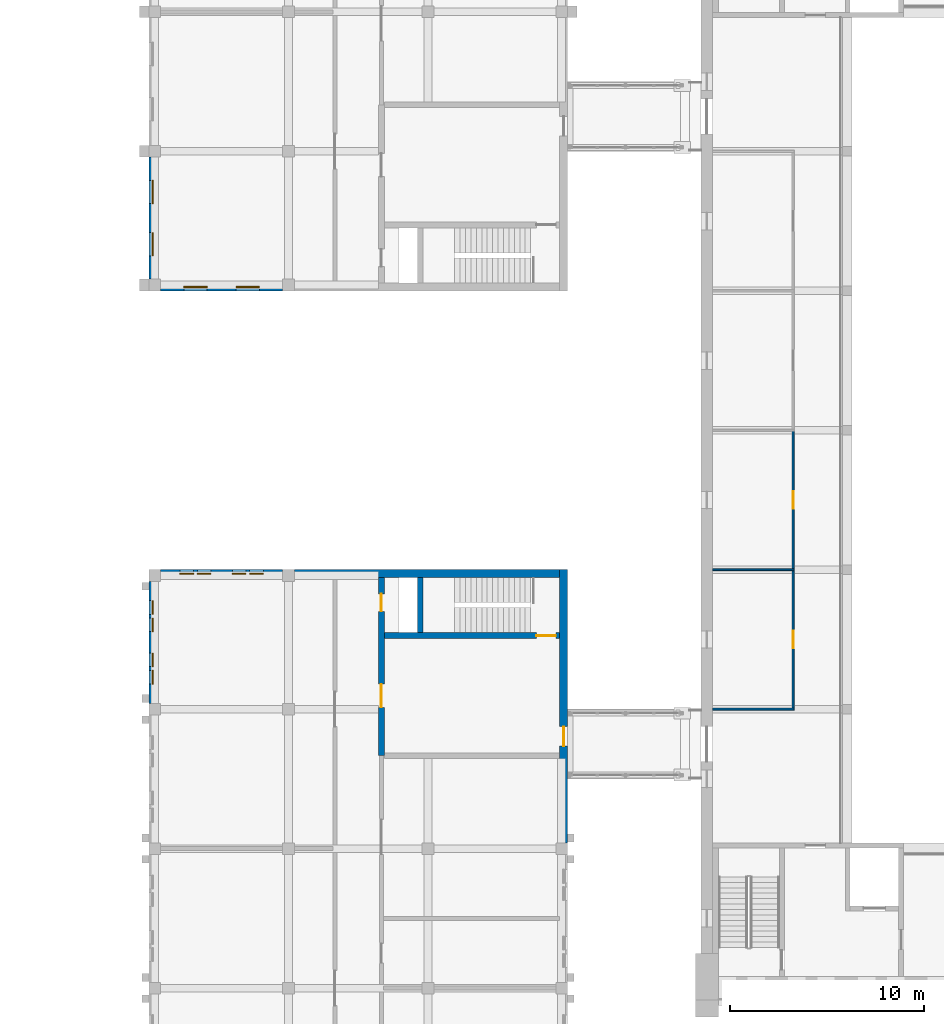
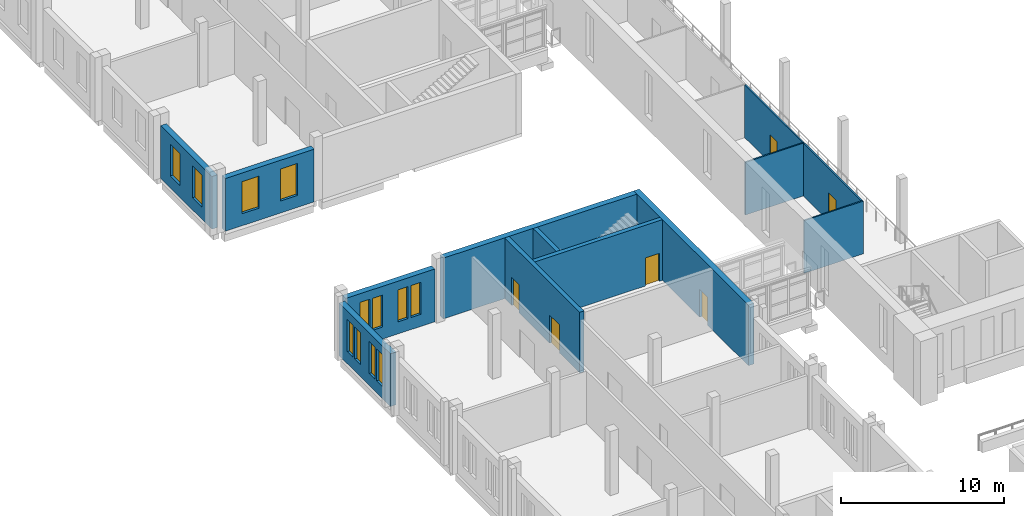
# One storey, part 82 of 131: 13 walls, 12 windows, 6 doors, 18 openings.
"""IFC4 building model written with IfcOpenShell, lengths in metres."""

from ifc_helpers import new_model, si_unit, direction, frame, frame_2d, origin, place, context, subcontext, project, spatial, rectangle, extrude, material, layer, layer_set, type_object, element, fill, save


model = new_model("IFC4")

# Units and contexts
model_context = context("Model", 3, precision=1e-05, world=origin(), true_north=direction((0.0, 1.0)))
body_context = subcontext(model_context, "Body", "Model", "MODEL_VIEW")
ifc_project = project(units=[si_unit("LENGTHUNIT", "METRE"), si_unit("AREAUNIT", "SQUARE_METRE"), si_unit("VOLUMEUNIT", "CUBIC_METRE"), si_unit("PLANEANGLEUNIT", "RADIAN"), si_unit("MASSUNIT", "GRAM", prefix="KILO")], contexts=[model_context])

# Site, building, storey
site_placement = place(None, origin())
site = spatial("IfcSite", under=ifc_project, at=site_placement, CompositionType="ELEMENT")
building_placement = place(site_placement, origin())
building = spatial("IfcBuilding", under=site, at=building_placement, Name="Alderwick Market Hall", CompositionType="ELEMENT")
storey_placement = place(building_placement, frame((0.0, 0.0, 4.800048828125)))
storey = spatial("IfcBuildingStorey", under=building, at=storey_placement, Name="L00", CompositionType="ELEMENT", Elevation=4.800048828125)

# Wall, openings, windows
ifc_material_1 = material(Name="Face brick", Category="masonry")
ifc_layer_1 = layer(ifc_material_1, 0.39990234375)
ifc_layer_set_1 = layer_set([ifc_layer_1], Name="Face brick")
wall_type_1 = type_object("IfcWallType", Name="B Brick Cavity Wall 400", PredefinedType="SOLIDWALL", material=ifc_layer_set_1)
wall_1_placement = place(storey_placement, frame((22.199951171875, 86.60009765625, 0.0), z_axis=(0.0, 0.0, 1.0), x_axis=(1.0, 0.0, 0.0)))
wall_1 = element("IfcWall", 1, at=wall_1_placement, inside=storey, type_object=wall_type_1, Name="B.N.wall.L00.000", PredefinedType="SOLIDWALL", context=body_context, shape_type="SweptSolid", body=[
    extrude(rectangle(XDim=6.300048828125, YDim=0.39990234375, at=frame_2d((3.14990234375, 0.0))), origin(), (0.0, 0.0, 1.0), 3.949951171875),
])
opening_1_placement = place(wall_1_placement, frame((1.199951171875, 0.0, 0.89990234375)))
opening_1 = element("IfcOpeningElement", 2, at=opening_1_placement, cuts=wall_1, Name="Opening B-W010", PredefinedType="OPENING", context=body_context, shape_type="SweptSolid", body=[
    extrude(rectangle(XDim=1.199951171875, YDim=2.39990234375, at=frame_2d((0.60009765625, 1.199951171875))), frame((0.0, 0.2099609375, 0.0), z_axis=(0.0, -1.0, 0.0), x_axis=(1.0, 0.0, 0.0)), (0.0, 0.0, 1.0), 0.419921875),
])
opening_2_placement = place(wall_1_placement, frame((3.89990234375, 0.0, 0.89990234375)))
opening_2 = element("IfcOpeningElement", 3, at=opening_2_placement, cuts=wall_1, Name="Opening B-W011", PredefinedType="OPENING", context=body_context, shape_type="SweptSolid", body=[
    extrude(rectangle(XDim=1.199951171875, YDim=2.39990234375, at=frame_2d((0.60009765625, 1.199951171875))), frame((0.0, 0.2099609375, 0.0), z_axis=(0.0, -1.0, 0.0), x_axis=(1.0, 0.0, 0.0)), (0.0, 0.0, 1.0), 0.419921875),
])
ifc_material_2 = material(Name="Aluminium frame", Category="aluminium")
window_type_1 = type_object("IfcWindowType", Name="B Piano Nobile Window 1200x2400", PartitioningType="SINGLE_PANEL", PredefinedType="WINDOW", material=ifc_material_2)
window_1_placement = place(opening_1_placement, origin())
window_1 = element("IfcWindow", 4, at=window_1_placement, inside=storey, type_object=window_type_1, Name="Window B-W010", OverallHeight=2.39990234375, OverallWidth=1.199951171875, PartitioningType="SINGLE_PANEL", PredefinedType="WINDOW", context=body_context, shape_type="SweptSolid", body=[
    extrude(rectangle(XDim=1.199951171875, YDim=2.39990234375, at=frame_2d((0.60009765625, 1.199951171875))), frame((0.0, 0.030029296875, 0.0), z_axis=(0.0, -1.0, 0.0), x_axis=(1.0, 0.0, 0.0)), (0.0, 0.0, 1.0), 0.06005859375),
])
fill(opening_1, window_1)
window_2_placement = place(opening_2_placement, origin())
window_2 = element("IfcWindow", 5, at=window_2_placement, inside=storey, type_object=window_type_1, Name="Window B-W011", OverallHeight=2.39990234375, OverallWidth=1.199951171875, PartitioningType="SINGLE_PANEL", PredefinedType="WINDOW", context=body_context, shape_type="SweptSolid", body=[
    extrude(rectangle(XDim=1.199951171875, YDim=2.39990234375, at=frame_2d((0.60009765625, 1.199951171875))), frame((0.0, 0.030029296875, 0.0), z_axis=(0.0, -1.0, 0.0), x_axis=(1.0, 0.0, 0.0)), (0.0, 0.0, 1.0), 0.06005859375),
])
fill(opening_2, window_2)

wall_2_placement = place(storey_placement, frame((21.800048828125, 87.0, 0.0), z_axis=(0.0, 0.0, 1.0), x_axis=(0.0, 1.0, 0.0)))
wall_2 = element("IfcWall", 6, at=wall_2_placement, inside=storey, type_object=wall_type_1, Name="B.N.wall.L00.016", PredefinedType="SOLIDWALL", context=body_context, shape_type="SweptSolid", body=[
    extrude(rectangle(XDim=6.300048828125, YDim=0.39990234375, at=frame_2d((3.14990234375, 0.0))), origin(), (0.0, 0.0, 1.0), 3.949951171875),
])
opening_3_placement = place(wall_2_placement, frame((1.199951171875, 0.0, 0.89990234375)))
opening_3 = element("IfcOpeningElement", 7, at=opening_3_placement, cuts=wall_2, Name="Opening B-W014", PredefinedType="OPENING", context=body_context, shape_type="SweptSolid", body=[
    extrude(rectangle(XDim=1.199951171875, YDim=2.39990234375, at=frame_2d((0.60009765625, 1.199951171875))), frame((0.0, 0.2099609375, 0.0), z_axis=(0.0, -1.0, 0.0), x_axis=(1.0, 0.0, 0.0)), (0.0, 0.0, 1.0), 0.419921875),
])
opening_4_placement = place(wall_2_placement, frame((3.89990234375, 0.0, 0.89990234375)))
opening_4 = element("IfcOpeningElement", 8, at=opening_4_placement, cuts=wall_2, Name="Opening B-W015", PredefinedType="OPENING", context=body_context, shape_type="SweptSolid", body=[
    extrude(rectangle(XDim=1.199951171875, YDim=2.39990234375, at=frame_2d((0.60009765625, 1.199951171875))), frame((0.0, 0.2099609375, 0.0), z_axis=(0.0, -1.0, 0.0), x_axis=(1.0, 0.0, 0.0)), (0.0, 0.0, 1.0), 0.419921875),
])
window_3_placement = place(opening_3_placement, origin())
window_3 = element("IfcWindow", 9, at=window_3_placement, inside=storey, type_object=window_type_1, Name="Window B-W014", OverallHeight=2.39990234375, OverallWidth=1.199951171875, PartitioningType="SINGLE_PANEL", PredefinedType="WINDOW", context=body_context, shape_type="SweptSolid", body=[
    extrude(rectangle(XDim=1.199951171875, YDim=2.39990234375, at=frame_2d((0.60009765625, 1.199951171875))), frame((0.0, 0.030029296875, 0.0), z_axis=(0.0, -1.0, 0.0), x_axis=(1.0, 0.0, 0.0)), (0.0, 0.0, 1.0), 0.06005859375),
])
fill(opening_3, window_3)
window_4_placement = place(opening_4_placement, origin())
window_4 = element("IfcWindow", 10, at=window_4_placement, inside=storey, type_object=window_type_1, Name="Window B-W015", OverallHeight=2.39990234375, OverallWidth=1.199951171875, PartitioningType="SINGLE_PANEL", PredefinedType="WINDOW", context=body_context, shape_type="SweptSolid", body=[
    extrude(rectangle(XDim=1.199951171875, YDim=2.39990234375, at=frame_2d((0.60009765625, 1.199951171875))), frame((0.0, 0.030029296875, 0.0), z_axis=(0.0, -1.0, 0.0), x_axis=(1.0, 0.0, 0.0)), (0.0, 0.0, 1.0), 0.06005859375),
])
fill(opening_4, window_4)

wall_3_placement = place(storey_placement, frame((22.199951171875, 71.800048828125, 0.0), z_axis=(0.0, 0.0, 1.0), x_axis=(1.0, 0.0, 0.0)))
wall_3 = element("IfcWall", 11, at=wall_3_placement, inside=storey, type_object=wall_type_1, Name="B.S.wall.L00.014", PredefinedType="SOLIDWALL", context=body_context, shape_type="SweptSolid", body=[
    extrude(rectangle(XDim=6.300048828125, YDim=0.39990234375, at=frame_2d((3.14990234375, 0.0))), origin(), (0.0, 0.0, 1.0), 3.949951171875),
])
opening_5_placement = place(wall_3_placement, frame((1.0, 0.0, 0.89990234375)))
opening_5 = element("IfcOpeningElement", 12, at=opening_5_placement, cuts=wall_3, Name="Opening B-W078", PredefinedType="OPENING", context=body_context, shape_type="SweptSolid", body=[
    extrude(rectangle(XDim=0.699951171875, YDim=2.39990234375, at=frame_2d((0.35009765625, 1.199951171875))), frame((0.0, 0.2099609375, 0.0), z_axis=(0.0, -1.0, 0.0), x_axis=(1.0, 0.0, 0.0)), (0.0, 0.0, 1.0), 0.419921875),
])
opening_6_placement = place(wall_3_placement, frame((1.89990234375, 0.0, 0.89990234375)))
opening_6 = element("IfcOpeningElement", 13, at=opening_6_placement, cuts=wall_3, Name="Opening B-W079", PredefinedType="OPENING", context=body_context, shape_type="SweptSolid", body=[
    extrude(rectangle(XDim=0.699951171875, YDim=2.39990234375, at=frame_2d((0.35009765625, 1.199951171875))), frame((0.0, 0.2099609375, 0.0), z_axis=(0.0, -1.0, 0.0), x_axis=(1.0, 0.0, 0.0)), (0.0, 0.0, 1.0), 0.419921875),
])
opening_7_placement = place(wall_3_placement, frame((3.699951171875, 0.0, 0.89990234375)))
opening_7 = element("IfcOpeningElement", 14, at=opening_7_placement, cuts=wall_3, Name="Opening B-W080", PredefinedType="OPENING", context=body_context, shape_type="SweptSolid", body=[
    extrude(rectangle(XDim=0.699951171875, YDim=2.39990234375, at=frame_2d((0.35009765625, 1.199951171875))), frame((0.0, 0.2099609375, 0.0), z_axis=(0.0, -1.0, 0.0), x_axis=(1.0, 0.0, 0.0)), (0.0, 0.0, 1.0), 0.419921875),
])
opening_8_placement = place(wall_3_placement, frame((4.60009765625, 0.0, 0.89990234375)))
opening_8 = element("IfcOpeningElement", 15, at=opening_8_placement, cuts=wall_3, Name="Opening B-W081", PredefinedType="OPENING", context=body_context, shape_type="SweptSolid", body=[
    extrude(rectangle(XDim=0.699951171875, YDim=2.39990234375, at=frame_2d((0.35009765625, 1.199951171875))), frame((0.0, 0.2099609375, 0.0), z_axis=(0.0, -1.0, 0.0), x_axis=(1.0, 0.0, 0.0)), (0.0, 0.0, 1.0), 0.419921875),
])
window_type_2 = type_object("IfcWindowType", Name="B Piano Nobile Window 700x2400", PartitioningType="SINGLE_PANEL", PredefinedType="WINDOW", material=ifc_material_2)
window_5_placement = place(opening_5_placement, origin())
window_5 = element("IfcWindow", 16, at=window_5_placement, inside=storey, type_object=window_type_2, Name="Window B-W078", OverallHeight=2.39990234375, OverallWidth=0.699951171875, PartitioningType="SINGLE_PANEL", PredefinedType="WINDOW", context=body_context, shape_type="SweptSolid", body=[
    extrude(rectangle(XDim=0.699951171875, YDim=2.39990234375, at=frame_2d((0.35009765625, 1.199951171875))), frame((0.0, 0.030029296875, 0.0), z_axis=(0.0, -1.0, 0.0), x_axis=(1.0, 0.0, 0.0)), (0.0, 0.0, 1.0), 0.06005859375),
])
fill(opening_5, window_5)
window_6_placement = place(opening_6_placement, origin())
window_6 = element("IfcWindow", 17, at=window_6_placement, inside=storey, type_object=window_type_2, Name="Window B-W079", OverallHeight=2.39990234375, OverallWidth=0.699951171875, PartitioningType="SINGLE_PANEL", PredefinedType="WINDOW", context=body_context, shape_type="SweptSolid", body=[
    extrude(rectangle(XDim=0.699951171875, YDim=2.39990234375, at=frame_2d((0.35009765625, 1.199951171875))), frame((0.0, 0.030029296875, 0.0), z_axis=(0.0, -1.0, 0.0), x_axis=(1.0, 0.0, 0.0)), (0.0, 0.0, 1.0), 0.06005859375),
])
fill(opening_6, window_6)
window_7_placement = place(opening_7_placement, origin())
window_7 = element("IfcWindow", 18, at=window_7_placement, inside=storey, type_object=window_type_2, Name="Window B-W080", OverallHeight=2.39990234375, OverallWidth=0.699951171875, PartitioningType="SINGLE_PANEL", PredefinedType="WINDOW", context=body_context, shape_type="SweptSolid", body=[
    extrude(rectangle(XDim=0.699951171875, YDim=2.39990234375, at=frame_2d((0.35009765625, 1.199951171875))), frame((0.0, 0.030029296875, 0.0), z_axis=(0.0, -1.0, 0.0), x_axis=(1.0, 0.0, 0.0)), (0.0, 0.0, 1.0), 0.06005859375),
])
fill(opening_7, window_7)
window_8_placement = place(opening_8_placement, origin())
window_8 = element("IfcWindow", 19, at=window_8_placement, inside=storey, type_object=window_type_2, Name="Window B-W081", OverallHeight=2.39990234375, OverallWidth=0.699951171875, PartitioningType="SINGLE_PANEL", PredefinedType="WINDOW", context=body_context, shape_type="SweptSolid", body=[
    extrude(rectangle(XDim=0.699951171875, YDim=2.39990234375, at=frame_2d((0.35009765625, 1.199951171875))), frame((0.0, 0.030029296875, 0.0), z_axis=(0.0, -1.0, 0.0), x_axis=(1.0, 0.0, 0.0)), (0.0, 0.0, 1.0), 0.06005859375),
])
fill(opening_8, window_8)

wall_4_placement = place(storey_placement, frame((21.800048828125, 65.10009765625, 0.0), z_axis=(0.0, 0.0, 1.0), x_axis=(0.0, 1.0, 0.0)))
wall_4 = element("IfcWall", 20, at=wall_4_placement, inside=storey, type_object=wall_type_1, Name="B.S.wall.L00.021", PredefinedType="SOLIDWALL", context=body_context, shape_type="SweptSolid", body=[
    extrude(rectangle(XDim=6.2998046875, YDim=0.39990234375, at=frame_2d((3.14990234375, 0.0))), origin(), (0.0, 0.0, 1.0), 3.949951171875),
])
opening_9_placement = place(wall_4_placement, frame((1.0, 0.0, 0.89990234375)))
opening_9 = element("IfcOpeningElement", 21, at=opening_9_placement, cuts=wall_4, Name="Opening B-W102", PredefinedType="OPENING", context=body_context, shape_type="SweptSolid", body=[
    extrude(rectangle(XDim=0.699951171875, YDim=2.39990234375, at=frame_2d((0.35009765625, 1.199951171875))), frame((0.0, 0.2099609375, 0.0), z_axis=(0.0, -1.0, 0.0), x_axis=(1.0, 0.0, 0.0)), (0.0, 0.0, 1.0), 0.419921875),
])
opening_10_placement = place(wall_4_placement, frame((1.89990234375, 0.0, 0.89990234375)))
opening_10 = element("IfcOpeningElement", 22, at=opening_10_placement, cuts=wall_4, Name="Opening B-W103", PredefinedType="OPENING", context=body_context, shape_type="SweptSolid", body=[
    extrude(rectangle(XDim=0.699951171875, YDim=2.39990234375, at=frame_2d((0.35009765625, 1.199951171875))), frame((0.0, 0.2099609375, 0.0), z_axis=(0.0, -1.0, 0.0), x_axis=(1.0, 0.0, 0.0)), (0.0, 0.0, 1.0), 0.419921875),
])
opening_11_placement = place(wall_4_placement, frame((3.699951171875, 0.0, 0.89990234375)))
opening_11 = element("IfcOpeningElement", 23, at=opening_11_placement, cuts=wall_4, Name="Opening B-W104", PredefinedType="OPENING", context=body_context, shape_type="SweptSolid", body=[
    extrude(rectangle(XDim=0.699951171875, YDim=2.39990234375, at=frame_2d((0.35009765625, 1.199951171875))), frame((0.0, 0.2099609375, 0.0), z_axis=(0.0, -1.0, 0.0), x_axis=(1.0, 0.0, 0.0)), (0.0, 0.0, 1.0), 0.419921875),
])
opening_12_placement = place(wall_4_placement, frame((4.60009765625, 0.0, 0.89990234375)))
opening_12 = element("IfcOpeningElement", 24, at=opening_12_placement, cuts=wall_4, Name="Opening B-W105", PredefinedType="OPENING", context=body_context, shape_type="SweptSolid", body=[
    extrude(rectangle(XDim=0.699951171875, YDim=2.39990234375, at=frame_2d((0.35009765625, 1.199951171875))), frame((0.0, 0.2099609375, 0.0), z_axis=(0.0, -1.0, 0.0), x_axis=(1.0, 0.0, 0.0)), (0.0, 0.0, 1.0), 0.419921875),
])
window_9_placement = place(opening_9_placement, origin())
window_9 = element("IfcWindow", 25, at=window_9_placement, inside=storey, type_object=window_type_2, Name="Window B-W102", OverallHeight=2.39990234375, OverallWidth=0.699951171875, PartitioningType="SINGLE_PANEL", PredefinedType="WINDOW", context=body_context, shape_type="SweptSolid", body=[
    extrude(rectangle(XDim=0.699951171875, YDim=2.39990234375, at=frame_2d((0.35009765625, 1.199951171875))), frame((0.0, 0.030029296875, 0.0), z_axis=(0.0, -1.0, 0.0), x_axis=(1.0, 0.0, 0.0)), (0.0, 0.0, 1.0), 0.06005859375),
])
fill(opening_9, window_9)
window_10_placement = place(opening_10_placement, origin())
window_10 = element("IfcWindow", 26, at=window_10_placement, inside=storey, type_object=window_type_2, Name="Window B-W103", OverallHeight=2.39990234375, OverallWidth=0.699951171875, PartitioningType="SINGLE_PANEL", PredefinedType="WINDOW", context=body_context, shape_type="SweptSolid", body=[
    extrude(rectangle(XDim=0.699951171875, YDim=2.39990234375, at=frame_2d((0.35009765625, 1.199951171875))), frame((0.0, 0.030029296875, 0.0), z_axis=(0.0, -1.0, 0.0), x_axis=(1.0, 0.0, 0.0)), (0.0, 0.0, 1.0), 0.06005859375),
])
fill(opening_10, window_10)
window_11_placement = place(opening_11_placement, origin())
window_11 = element("IfcWindow", 27, at=window_11_placement, inside=storey, type_object=window_type_2, Name="Window B-W104", OverallHeight=2.39990234375, OverallWidth=0.699951171875, PartitioningType="SINGLE_PANEL", PredefinedType="WINDOW", context=body_context, shape_type="SweptSolid", body=[
    extrude(rectangle(XDim=0.699951171875, YDim=2.39990234375, at=frame_2d((0.35009765625, 1.199951171875))), frame((0.0, 0.030029296875, 0.0), z_axis=(0.0, -1.0, 0.0), x_axis=(1.0, 0.0, 0.0)), (0.0, 0.0, 1.0), 0.06005859375),
])
fill(opening_11, window_11)
window_12_placement = place(opening_12_placement, origin())
window_12 = element("IfcWindow", 28, at=window_12_placement, inside=storey, type_object=window_type_2, Name="Window B-W105", OverallHeight=2.39990234375, OverallWidth=0.699951171875, PartitioningType="SINGLE_PANEL", PredefinedType="WINDOW", context=body_context, shape_type="SweptSolid", body=[
    extrude(rectangle(XDim=0.699951171875, YDim=2.39990234375, at=frame_2d((0.35009765625, 1.199951171875))), frame((0.0, 0.030029296875, 0.0), z_axis=(0.0, -1.0, 0.0), x_axis=(1.0, 0.0, 0.0)), (0.0, 0.0, 1.0), 0.06005859375),
])
fill(opening_12, window_12)

# Wall
ifc_material_3 = material(Name="Concrete 5000 psi (f'c 35 MPa)", Category="concrete")
ifc_layer_2 = layer(ifc_material_3, 0.39990234375)
ifc_layer_set_2 = layer_set([ifc_layer_2], Name="Concrete 5000 psi (f'c 35 MPa)")
wall_type_2 = type_object("IfcWallType", Name="B RC Core Facade Wall 400", PredefinedType="SHEAR", material=ifc_layer_set_2)
wall_5_placement = place(storey_placement, frame((29.10009765625, 71.800048828125, 0.0), z_axis=(0.0, 0.0, 1.0), x_axis=(1.0, 0.0, 0.0)))
element("IfcWall", 29, at=wall_5_placement, inside=storey, type_object=wall_type_2, Name="B.S.wall.L00.015", PredefinedType="SHEAR", context=body_context, shape_type="SweptSolid", body=[
    extrude(rectangle(XDim=13.699951171875, YDim=0.39990234375, at=frame_2d((6.85009765625, 0.0))), origin(), (0.0, 0.0, 1.0), 4.550048828125),
])

# Wall, opening, door
wall_6_placement = place(storey_placement, frame((43.0, 57.89990234375, 0.0), z_axis=(0.0, 0.0, 1.0), x_axis=(0.0, 1.0, 0.0)))
wall_6 = element("IfcWall", 30, at=wall_6_placement, inside=storey, type_object=wall_type_2, Name="B.S.wall.L00.032", PredefinedType="SHEAR", context=body_context, shape_type="SweptSolid", body=[
    extrude(rectangle(XDim=14.10009765625, YDim=0.39990234375, at=frame_2d((7.050048828125, 0.0))), origin(), (0.0, 0.0, 1.0), 4.550048828125),
])
opening_13_placement = place(wall_6_placement, frame((5.0, 0.0, 0.0)))
opening_13 = element("IfcOpeningElement", 31, at=opening_13_placement, cuts=wall_6, Name="Opening B-D018", PredefinedType="OPENING", context=body_context, shape_type="SweptSolid", body=[
    extrude(rectangle(XDim=1.0, YDim=2.10009765625, at=frame_2d((0.5, 1.050048828125))), frame((0.0, 0.2099609375, 0.0), z_axis=(0.0, -1.0, 0.0), x_axis=(1.0, 0.0, 0.0)), (0.0, 0.0, 1.0), 0.419921875),
])
ifc_material_4 = material(Name="Hollow metal fire door and frame")
door_type_1 = type_object("IfcDoorType", Name="B Fire Door 1000x2100", OperationType="SINGLE_SWING_LEFT", PredefinedType="DOOR", material=ifc_material_4)
door_1_placement = place(opening_13_placement, origin())
door_1 = element("IfcDoor", 32, at=door_1_placement, inside=storey, type_object=door_type_1, Name="Passage door S-2", OperationType="SINGLE_SWING_RIGHT", OverallHeight=2.10009765625, OverallWidth=1.0, PredefinedType="DOOR", context=body_context, shape_type="SweptSolid", body=[
    extrude(rectangle(XDim=1.0, YDim=2.10009765625, at=frame_2d((0.5, 1.050048828125))), frame((0.0, 0.02490234375, 0.0), z_axis=(0.0, -1.0, 0.0), x_axis=(1.0, 0.0, 0.0)), (0.0, 0.0, 1.0), 0.050048828125),
])
fill(opening_13, door_1)

ifc_layer_3 = layer(ifc_material_3, 0.300048828125)
ifc_layer_set_3 = layer_set([ifc_layer_3], Name="Concrete 5000 psi (f'c 35 MPa)")
wall_type_3 = type_object("IfcWallType", Name="B RC Core Wall 300", PredefinedType="SHEAR", material=ifc_layer_set_3)
wall_7_placement = place(storey_placement, frame((33.75, 68.60009765625, 0.0), z_axis=(0.0, 0.0, 1.0), x_axis=(1.0, 0.0, 0.0)))
wall_7 = element("IfcWall", 33, at=wall_7_placement, inside=storey, type_object=wall_type_3, Name="B.S.wall.L00.013", PredefinedType="SHEAR", context=body_context, shape_type="SweptSolid", body=[
    extrude(rectangle(XDim=9.050048828125, YDim=0.300048828125, at=frame_2d((4.52490234375, 0.0))), origin(), (0.0, 0.0, 1.0), 4.550048828125),
])
opening_14_placement = place(wall_7_placement, frame((7.85009765625, 0.0, 0.0)))
opening_14 = element("IfcOpeningElement", 34, at=opening_14_placement, cuts=wall_7, Name="Opening B-D109", PredefinedType="OPENING", context=body_context, shape_type="SweptSolid", body=[
    extrude(rectangle(XDim=1.0, YDim=2.10009765625, at=frame_2d((0.5, 1.050048828125))), frame((0.0, 0.159912109375, 0.0), z_axis=(0.0, -1.0, 0.0), x_axis=(1.0, 0.0, 0.0)), (0.0, 0.0, 1.0), 0.320068359375),
])
door_2_placement = place(opening_14_placement, origin())
door_2 = element("IfcDoor", 35, at=door_2_placement, inside=storey, type_object=door_type_1, Name="Stair S-2 lobby door", OperationType="SINGLE_SWING_LEFT", OverallHeight=2.10009765625, OverallWidth=1.0, PredefinedType="DOOR", context=body_context, shape_type="SweptSolid", body=[
    extrude(rectangle(XDim=1.0, YDim=2.10009765625, at=frame_2d((0.5, 1.050048828125))), frame((0.0, 0.02490234375, 0.0), z_axis=(0.0, -1.0, 0.0), x_axis=(1.0, 0.0, 0.0)), (0.0, 0.0, 1.0), 0.050048828125),
])
fill(opening_14, door_2)

# Wall, openings, doors
wall_8_placement = place(storey_placement, frame((33.60009765625, 62.39990234375, 0.0), z_axis=(0.0, 0.0, 1.0), x_axis=(0.0, 1.0, 0.0)))
wall_8 = element("IfcWall", 36, at=wall_8_placement, inside=storey, type_object=wall_type_3, Name="B.S.wall.L00.025", PredefinedType="SHEAR", context=body_context, shape_type="SweptSolid", body=[
    extrude(rectangle(XDim=9.2001953125, YDim=0.300048828125, at=frame_2d((4.60009765625, 0.0))), origin(), (0.0, 0.0, 1.0), 4.550048828125),
])
opening_15_placement = place(wall_8_placement, frame((2.5, 0.0, 0.0)))
opening_15 = element("IfcOpeningElement", 37, at=opening_15_placement, cuts=wall_8, Name="Opening B-D110", PredefinedType="OPENING", context=body_context, shape_type="SweptSolid", body=[
    extrude(rectangle(XDim=1.199951171875, YDim=2.10009765625, at=frame_2d((0.60009765625, 1.050048828125))), frame((0.0, 0.159912109375, 0.0), z_axis=(0.0, -1.0, 0.0), x_axis=(1.0, 0.0, 0.0)), (0.0, 0.0, 1.0), 0.320068359375),
])
opening_16_placement = place(wall_8_placement, frame((7.449951171875, 0.0, 0.0)))
opening_16 = element("IfcOpeningElement", 38, at=opening_16_placement, cuts=wall_8, Name="Opening B-D111", PredefinedType="OPENING", context=body_context, shape_type="SweptSolid", body=[
    extrude(rectangle(XDim=0.89990234375, YDim=2.10009765625, at=frame_2d((0.449951171875, 1.050048828125))), frame((0.0, 0.159912109375, 0.0), z_axis=(0.0, -1.0, 0.0), x_axis=(1.0, 0.0, 0.0)), (0.0, 0.0, 1.0), 0.320068359375),
])
door_type_2 = type_object("IfcDoorType", Name="B Fire Door 1200x2100", OperationType="SINGLE_SWING_LEFT", PredefinedType="DOOR", material=ifc_material_4)
door_3_placement = place(opening_15_placement, origin())
door_3 = element("IfcDoor", 39, at=door_3_placement, inside=storey, type_object=door_type_2, Name="Lobby S-2 corridor door", OperationType="SINGLE_SWING_RIGHT", OverallHeight=2.10009765625, OverallWidth=1.199951171875, PredefinedType="DOOR", context=body_context, shape_type="SweptSolid", body=[
    extrude(rectangle(XDim=1.199951171875, YDim=2.10009765625, at=frame_2d((0.60009765625, 1.050048828125))), frame((0.0, 0.02490234375, 0.0), z_axis=(0.0, -1.0, 0.0), x_axis=(1.0, 0.0, 0.0)), (0.0, 0.0, 1.0), 0.050048828125),
])
fill(opening_15, door_3)
door_type_3 = type_object("IfcDoorType", Name="B Fire Door 900x2100", OperationType="SINGLE_SWING_LEFT", PredefinedType="DOOR", material=ifc_material_4)
door_4_placement = place(opening_16_placement, origin())
door_4 = element("IfcDoor", 40, at=door_4_placement, inside=storey, type_object=door_type_3, Name="Riser S-2 access door", OperationType="SINGLE_SWING_LEFT", OverallHeight=2.10009765625, OverallWidth=0.89990234375, PredefinedType="DOOR", context=body_context, shape_type="SweptSolid", body=[
    extrude(rectangle(XDim=0.89990234375, YDim=2.10009765625, at=frame_2d((0.449951171875, 1.050048828125))), frame((0.0, 0.02490234375, 0.0), z_axis=(0.0, -1.0, 0.0), x_axis=(1.0, 0.0, 0.0)), (0.0, 0.0, 1.0), 0.050048828125),
])
fill(opening_16, door_4)

# Walls
wall_9_placement = place(storey_placement, frame((35.60009765625, 68.75, 0.0), z_axis=(0.0, 0.0, 1.0), x_axis=(0.0, 1.0, 0.0)))
element("IfcWall", 41, at=wall_9_placement, inside=storey, type_object=wall_type_3, Name="B.S.wall.L00.027", PredefinedType="SHEAR", context=body_context, shape_type="SweptSolid", body=[
    extrude(rectangle(XDim=2.85009765625, YDim=0.300048828125, at=frame_2d((1.425048828125, 0.0))), origin(), (0.0, 0.0, 1.0), 4.550048828125),
])
ifc_material_5 = material(Name="Gypsum board partition")
ifc_layer_4 = layer(ifc_material_5, 0.10009765625)
ifc_layer_set_4 = layer_set([ifc_layer_4], Name="Gypsum board partition")
wall_type_4 = type_object("IfcWallType", Name="H Partition 100", PredefinedType="PARTITIONING", material=ifc_layer_set_4)
for number, where, z_axis, x_axis, name in (
    (42, (50.699951171875, 64.800048828125, 0.0), (0.0, 0.0, 1.0), (1.0, 0.0, 0.0), "Partition"),
    (43, (50.699951171875, 72.0, 0.0), (0.0, 0.0, 1.0), (1.0, 0.0, 0.0), "Partition"),
):
    element("IfcWall", number, at=place(storey_placement, frame(where, z_axis=z_axis, x_axis=x_axis)), inside=storey, type_object=wall_type_4, Name=name, PredefinedType="PARTITIONING", context=body_context, shape_type="SweptSolid", body=[
        extrude(rectangle(XDim=4.199951171875, YDim=0.10009765625, at=frame_2d((2.10009765625, 0.0))), origin(), (0.0, 0.0, 1.0), 3.949951171875),
    ])

# Wall, opening, door
wall_10_placement = place(storey_placement, frame((54.85009765625, 64.85009765625, 0.0), z_axis=(0.0, 0.0, 1.0), x_axis=(0.0, 1.0, 0.0)))
wall_10 = element("IfcWall", 44, at=wall_10_placement, inside=storey, type_object=wall_type_4, Name="Partition", PredefinedType="PARTITIONING", context=body_context, shape_type="SweptSolid", body=[
    extrude(rectangle(XDim=7.099853515625, YDim=0.10009765625, at=frame_2d((3.5498046875, 0.0))), origin(), (0.0, 0.0, 1.0), 3.949951171875),
])
opening_17_placement = place(wall_10_placement, frame((3.10009765625, 0.0, 0.0)))
opening_17 = element("IfcOpeningElement", 45, at=opening_17_placement, cuts=wall_10, Name="Opening H-D078", PredefinedType="OPENING", context=body_context, shape_type="SweptSolid", body=[
    extrude(rectangle(XDim=0.89990234375, YDim=2.10009765625, at=frame_2d((0.449951171875, 1.050048828125))), frame((0.0, 0.06005859375, 0.0), z_axis=(0.0, -1.0, 0.0), x_axis=(1.0, 0.0, 0.0)), (0.0, 0.0, 1.0), 0.1201171875),
])
ifc_material_6 = material(Name="Timber, solid core", Category="wood")
door_type_4 = type_object("IfcDoorType", Name="H WC door 900x2100", OperationType="SINGLE_SWING_LEFT", PredefinedType="DOOR", material=ifc_material_6)
door_5_placement = place(opening_17_placement, origin())
door_5 = element("IfcDoor", 46, at=door_5_placement, inside=storey, type_object=door_type_4, Name="Door H-D078", OperationType="SINGLE_SWING_LEFT", OverallHeight=2.10009765625, OverallWidth=0.89990234375, PredefinedType="DOOR", context=body_context, shape_type="SweptSolid", body=[
    extrude(rectangle(XDim=0.89990234375, YDim=2.10009765625, at=frame_2d((0.449951171875, 1.050048828125))), frame((0.0, 0.02490234375, 0.0), z_axis=(0.0, -1.0, 0.0), x_axis=(1.0, 0.0, 0.0)), (0.0, 0.0, 1.0), 0.050048828125),
])
fill(opening_17, door_5)

wall_11_placement = place(storey_placement, frame((54.85009765625, 72.050048828125, 0.0), z_axis=(0.0, 0.0, 1.0), x_axis=(0.0, 1.0, 0.0)))
wall_11 = element("IfcWall", 47, at=wall_11_placement, inside=storey, type_object=wall_type_4, Name="Partition", PredefinedType="PARTITIONING", context=body_context, shape_type="SweptSolid", body=[
    extrude(rectangle(XDim=7.099853515625, YDim=0.10009765625, at=frame_2d((3.5498046875, 0.0))), origin(), (0.0, 0.0, 1.0), 3.949951171875),
])
opening_18_placement = place(wall_11_placement, frame((3.10009765625, 0.0, 0.0)))
opening_18 = element("IfcOpeningElement", 48, at=opening_18_placement, cuts=wall_11, Name="Opening H-D079", PredefinedType="OPENING", context=body_context, shape_type="SweptSolid", body=[
    extrude(rectangle(XDim=0.89990234375, YDim=2.10009765625, at=frame_2d((0.449951171875, 1.050048828125))), frame((0.0, 0.06005859375, 0.0), z_axis=(0.0, -1.0, 0.0), x_axis=(1.0, 0.0, 0.0)), (0.0, 0.0, 1.0), 0.1201171875),
])
door_6_placement = place(opening_18_placement, origin())
door_6 = element("IfcDoor", 49, at=door_6_placement, inside=storey, type_object=door_type_4, Name="Door H-D079", OperationType="SINGLE_SWING_LEFT", OverallHeight=2.10009765625, OverallWidth=0.89990234375, PredefinedType="DOOR", context=body_context, shape_type="SweptSolid", body=[
    extrude(rectangle(XDim=0.89990234375, YDim=2.10009765625, at=frame_2d((0.449951171875, 1.050048828125))), frame((0.0, 0.02490234375, 0.0), z_axis=(0.0, -1.0, 0.0), x_axis=(1.0, 0.0, 0.0)), (0.0, 0.0, 1.0), 0.050048828125),
])
fill(opening_18, door_6)

save(model, "model.ifc")
